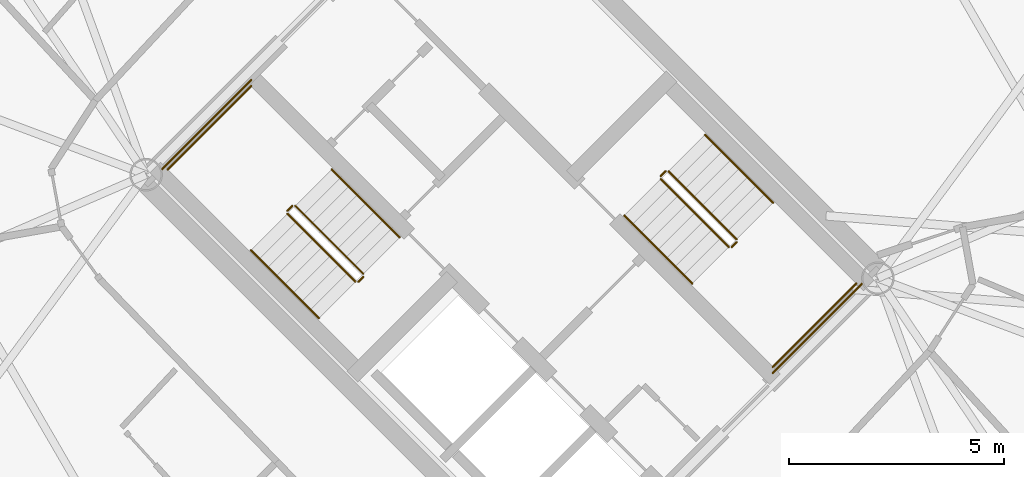
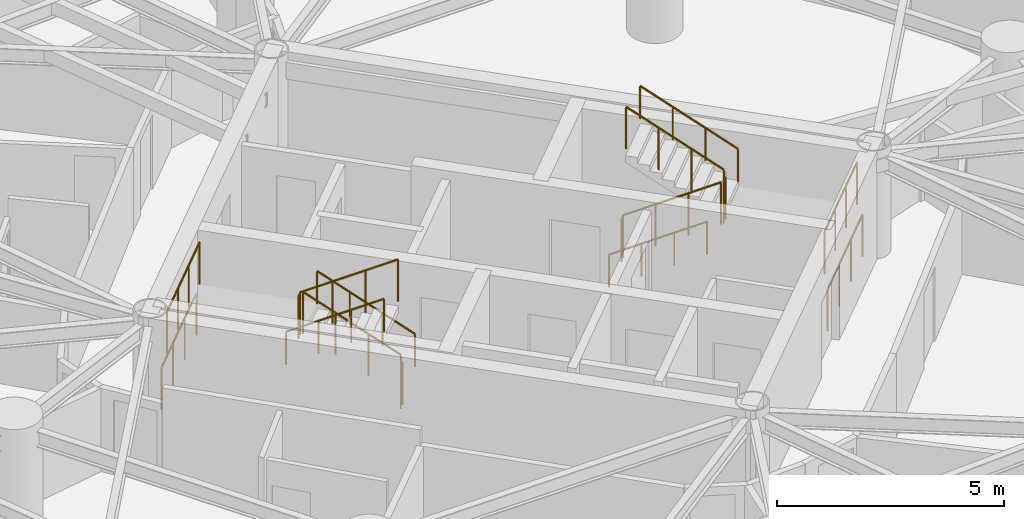
# One storey, part 18 of 18: 16 railings.
"""IFC4 building model written with IfcOpenShell, lengths in metres."""

from ifc_helpers import new_model, si_unit, direction, frame, origin, origin_2d, place, context, subcontext, project, spatial, circle, extrude, material, type_object, element, save


model = new_model("IFC4")

# Units and contexts
model_context = context("Model", 3, precision=1e-05, world=origin(), true_north=direction((0.0, 1.0)))
body_context = subcontext(model_context, "Body", "Model", "MODEL_VIEW")
ifc_project = project(units=[si_unit("LENGTHUNIT", "METRE"), si_unit("AREAUNIT", "SQUARE_METRE"), si_unit("VOLUMEUNIT", "CUBIC_METRE"), si_unit("PLANEANGLEUNIT", "RADIAN"), si_unit("MASSUNIT", "GRAM", prefix="KILO")], contexts=[model_context])

# Site, building, storey
site_placement = place(None, origin())
site = spatial("IfcSite", under=ifc_project, at=site_placement, CompositionType="ELEMENT")
building_placement = place(site_placement, origin())
building = spatial("IfcBuilding", under=site, at=building_placement, Name="Cununo Teusaquillo Station Towers", CompositionType="ELEMENT")
storey_placement = place(building_placement, frame((0.0, 0.0, 157.419921875)))
storey = spatial("IfcBuildingStorey", under=building, at=storey_placement, Name="L49", CompositionType="ELEMENT", Elevation=157.419921875)

# Railings
ifc_material_1 = material(Name="Steel EN 10025-2 S355J2", Category="steel")
railing_type_1 = type_object("IfcRailingType", Name="RL-INT-GUARD", PredefinedType="GUARDRAIL", material=ifc_material_1)
railing_1_placement = place(storey_placement, frame((54.03515625, 23.39697265625, 0.161865234375)))
element("IfcRailing", 1, at=railing_1_placement, inside=storey, type_object=railing_type_1, Name="L49 ST-T2-1 stair guard 1", PredefinedType="GUARDRAIL", context=body_context, shape_type="SweptSolid", body=[
    extrude(circle(Radius=0.02392578125, at=origin_2d()), frame((0.0, 0.0, 1.1259765625), z_axis=(-0.612361259024, 0.612361259024, 0.500027376144), x_axis=(-0.707106781187, -0.707106781187, 0.0)), (0.0, 0.0, 1.0), 2.586181640625),
    extrude(circle(Radius=0.02099609375, at=origin_2d()), origin(), (0.0, 0.0, 1.0), 1.101806640625),
    extrude(circle(Radius=0.02099609375, at=origin_2d()), frame((-0.52783203125, 0.52783203125, 0.43115234375)), (0.0, 0.0, 1.0), 1.101806640625),
    extrude(circle(Radius=0.02099609375, at=origin_2d()), frame((-1.055908203125, 1.055908203125, 0.862060546875)), (0.0, 0.0, 1.0), 1.101806640625),
    extrude(circle(Radius=0.02099609375, at=origin_2d()), frame((-1.583740234375, 1.583740234375, 1.293212890625)), (0.0, 0.0, 1.0), 1.101806640625),
])
railing_2_placement = place(storey_placement, frame((52.380615234375, 24.980712890625, 1.455078125)))
element("IfcRailing", 2, at=railing_2_placement, inside=storey, type_object=railing_type_1, Name="L49 ST-T2-1 stair guard 2", PredefinedType="GUARDRAIL", context=body_context, shape_type="SweptSolid", body=[
    extrude(circle(Radius=0.02392578125, at=origin_2d()), frame((0.0, 0.0, 1.1259765625), z_axis=(-0.7078691598, -0.706343579714, 0.0), x_axis=(0.706343579714, -0.7078691598, 0.0)), (0.0, 0.0, 1.0), 0.159912109375),
    extrude(circle(Radius=0.02099609375, at=origin_2d()), origin(), (0.0, 0.0, 1.0), 1.101806640625),
    extrude(circle(Radius=0.02099609375, at=origin_2d()), frame((-0.11328125, -0.113037109375, 0.0)), (0.0, 0.0, 1.0), 1.101806640625),
])
railing_3_placement = place(storey_placement, frame((51.426025390625, 27.77392578125, 1.455078125)))
element("IfcRailing", 3, at=railing_3_placement, inside=storey, type_object=railing_type_1, Name="L49 ST-T2-1 stair guard 3", PredefinedType="GUARDRAIL", context=body_context, shape_type="SweptSolid", body=[
    extrude(circle(Radius=0.02392578125, at=origin_2d()), frame((0.0, 0.0, 1.1259765625), z_axis=(-0.707106781187, -0.707106781187, 0.0), x_axis=(0.707106781187, -0.707106781187, 0.0)), (0.0, 0.0, 1.0), 2.760009765625),
    extrude(circle(Radius=0.02099609375, at=origin_2d()), origin(), (0.0, 0.0, 1.0), 1.101806640625),
    extrude(circle(Radius=0.02099609375, at=origin_2d()), frame((-0.650634765625, -0.650634765625, 0.0)), (0.0, 0.0, 1.0), 1.101806640625),
    extrude(circle(Radius=0.02099609375, at=origin_2d()), frame((-1.301025390625, -1.301025390625, 0.0)), (0.0, 0.0, 1.0), 1.101806640625),
    extrude(circle(Radius=0.02099609375, at=origin_2d()), frame((-1.95166015625, -1.95166015625, 0.0)), (0.0, 0.0, 1.0), 1.101806640625),
])
railing_4_placement = place(storey_placement, frame((52.267333984375, 24.796875, 1.61669921875)))
element("IfcRailing", 4, at=railing_4_placement, inside=storey, type_object=railing_type_1, Name="L49 ST-T2-1 stair guard 4", PredefinedType="GUARDRAIL", context=body_context, shape_type="SweptSolid", body=[
    extrude(circle(Radius=0.02392578125, at=origin_2d()), frame((0.0, 0.0, 1.1259765625), z_axis=(0.612391349474, -0.612296961165, 0.500069261639), x_axis=(0.707052281454, 0.707161276719, 0.0)), (0.0, 0.0, 1.0), 2.586669921875),
    extrude(circle(Radius=0.02099609375, at=origin_2d()), origin(), (0.0, 0.0, 1.0), 1.101806640625),
    extrude(circle(Radius=0.02099609375, at=origin_2d()), frame((0.528076171875, -0.52783203125, 0.43115234375)), (0.0, 0.0, 1.0), 1.101806640625),
    extrude(circle(Radius=0.02099609375, at=origin_2d()), frame((1.055908203125, -1.055908203125, 0.8623046875)), (0.0, 0.0, 1.0), 1.101806640625),
    extrude(circle(Radius=0.02099609375, at=origin_2d()), frame((1.583984375, -1.583740234375, 1.29345703125)), (0.0, 0.0, 1.0), 1.101806640625),
])
railing_5_placement = place(storey_placement, frame((54.03515625, 23.326171875, 0.0)))
element("IfcRailing", 5, at=railing_5_placement, inside=storey, type_object=railing_type_1, Name="L49 ST-T2-1 stair guard 5", PredefinedType="GUARDRAIL", context=body_context, shape_type="SweptSolid", body=[
    extrude(circle(Radius=0.02392578125, at=origin_2d()), frame((0.0, 0.0, 1.1259765625), z_axis=(-0.707106781187, -0.707106781187, 0.0), x_axis=(0.707106781187, -0.707106781187, 0.0)), (0.0, 0.0, 1.0), 0.159912109375),
    extrude(circle(Radius=0.02099609375, at=origin_2d()), origin(), (0.0, 0.0, 1.0), 1.101806640625),
    extrude(circle(Radius=0.02099609375, at=origin_2d()), frame((-0.113037109375, -0.113037109375, 0.0)), (0.0, 0.0, 1.0), 1.101806640625),
])
railing_6_placement = place(storey_placement, frame((51.426025390625, 27.915283203125, 0.0)))
element("IfcRailing", 6, at=railing_6_placement, inside=storey, type_object=railing_type_1, Name="L49 ST-T2-1 stair guard 6", PredefinedType="GUARDRAIL", context=body_context, shape_type="SweptSolid", body=[
    extrude(circle(Radius=0.02392578125, at=origin_2d()), frame((0.0, 0.0, 1.1259765625), z_axis=(-0.707106781187, -0.707106781187, 0.0), x_axis=(0.707106781187, -0.707106781187, 0.0)), (0.0, 0.0, 1.0), 2.9599609375),
    extrude(circle(Radius=0.02099609375, at=origin_2d()), origin(), (0.0, 0.0, 1.0), 1.101806640625),
    extrude(circle(Radius=0.02099609375, at=origin_2d()), frame((-0.69775390625, -0.69775390625, 0.0)), (0.0, 0.0, 1.0), 1.101806640625),
    extrude(circle(Radius=0.02099609375, at=origin_2d()), frame((-1.395263671875, -1.395263671875, 0.0)), (0.0, 0.0, 1.0), 1.101806640625),
    extrude(circle(Radius=0.02099609375, at=origin_2d()), frame((-2.093017578125, -2.093017578125, 0.0)), (0.0, 0.0, 1.0), 1.101806640625),
])
railing_7_placement = place(storey_placement, frame((60.96484375, 25.60302734375, 0.161865234375)))
element("IfcRailing", 7, at=railing_7_placement, inside=storey, type_object=railing_type_1, Name="L49 ST-T2-2 stair guard 1", PredefinedType="GUARDRAIL", context=body_context, shape_type="SweptSolid", body=[
    extrude(circle(Radius=0.02392578125, at=origin_2d()), frame((0.0, 0.0, 1.1259765625), z_axis=(0.612361259024, -0.612361259024, 0.500027376144), x_axis=(0.707106781187, 0.707106781187, 0.0)), (0.0, 0.0, 1.0), 2.586181640625),
    extrude(circle(Radius=0.02099609375, at=origin_2d()), origin(), (0.0, 0.0, 1.0), 1.101806640625),
    extrude(circle(Radius=0.02099609375, at=origin_2d()), frame((0.52783203125, -0.52783203125, 0.43115234375)), (0.0, 0.0, 1.0), 1.101806640625),
    extrude(circle(Radius=0.02099609375, at=origin_2d()), frame((1.055908203125, -1.055908203125, 0.862060546875)), (0.0, 0.0, 1.0), 1.101806640625),
    extrude(circle(Radius=0.02099609375, at=origin_2d()), frame((1.583740234375, -1.583740234375, 1.293212890625)), (0.0, 0.0, 1.0), 1.101806640625),
])
railing_8_placement = place(storey_placement, frame((62.619384765625, 24.019287109375, 1.455078125)))
element("IfcRailing", 8, at=railing_8_placement, inside=storey, type_object=railing_type_1, Name="L49 ST-T2-2 stair guard 2", PredefinedType="GUARDRAIL", context=body_context, shape_type="SweptSolid", body=[
    extrude(circle(Radius=0.02392578125, at=origin_2d()), frame((0.0, 0.0, 1.1259765625), z_axis=(0.7078691598, 0.706343579714, 0.0), x_axis=(-0.706343579714, 0.7078691598, 0.0)), (0.0, 0.0, 1.0), 0.159912109375),
    extrude(circle(Radius=0.02099609375, at=origin_2d()), origin(), (0.0, 0.0, 1.0), 1.101806640625),
    extrude(circle(Radius=0.02099609375, at=origin_2d()), frame((0.11328125, 0.113037109375, 0.0)), (0.0, 0.0, 1.0), 1.101806640625),
])
railing_9_placement = place(storey_placement, frame((63.573974609375, 21.22607421875, 1.455078125)))
element("IfcRailing", 9, at=railing_9_placement, inside=storey, type_object=railing_type_1, Name="L49 ST-T2-2 stair guard 3", PredefinedType="GUARDRAIL", context=body_context, shape_type="SweptSolid", body=[
    extrude(circle(Radius=0.02392578125, at=origin_2d()), frame((0.0, 0.0, 1.1259765625), z_axis=(0.707106781187, 0.707106781187, 0.0), x_axis=(-0.707106781187, 0.707106781187, 0.0)), (0.0, 0.0, 1.0), 2.760009765625),
    extrude(circle(Radius=0.02099609375, at=origin_2d()), origin(), (0.0, 0.0, 1.0), 1.101806640625),
    extrude(circle(Radius=0.02099609375, at=origin_2d()), frame((0.650634765625, 0.650634765625, 0.0)), (0.0, 0.0, 1.0), 1.101806640625),
    extrude(circle(Radius=0.02099609375, at=origin_2d()), frame((1.301025390625, 1.301025390625, 0.0)), (0.0, 0.0, 1.0), 1.101806640625),
    extrude(circle(Radius=0.02099609375, at=origin_2d()), frame((1.95166015625, 1.95166015625, 0.0)), (0.0, 0.0, 1.0), 1.101806640625),
])
railing_10_placement = place(storey_placement, frame((62.732666015625, 24.203125, 1.61669921875)))
element("IfcRailing", 10, at=railing_10_placement, inside=storey, type_object=railing_type_1, Name="L49 ST-T2-2 stair guard 4", PredefinedType="GUARDRAIL", context=body_context, shape_type="SweptSolid", body=[
    extrude(circle(Radius=0.02392578125, at=origin_2d()), frame((0.0, 0.0, 1.1259765625), z_axis=(-0.612391349474, 0.612296961165, 0.500069261639), x_axis=(-0.707052281454, -0.707161276719, 0.0)), (0.0, 0.0, 1.0), 2.586669921875),
    extrude(circle(Radius=0.02099609375, at=origin_2d()), origin(), (0.0, 0.0, 1.0), 1.101806640625),
    extrude(circle(Radius=0.02099609375, at=origin_2d()), frame((-0.528076171875, 0.52783203125, 0.43115234375)), (0.0, 0.0, 1.0), 1.101806640625),
    extrude(circle(Radius=0.02099609375, at=origin_2d()), frame((-1.055908203125, 1.055908203125, 0.8623046875)), (0.0, 0.0, 1.0), 1.101806640625),
    extrude(circle(Radius=0.02099609375, at=origin_2d()), frame((-1.583984375, 1.583740234375, 1.29345703125)), (0.0, 0.0, 1.0), 1.101806640625),
])
railing_11_placement = place(storey_placement, frame((60.96484375, 25.673828125, 0.0)))
element("IfcRailing", 11, at=railing_11_placement, inside=storey, type_object=railing_type_1, Name="L49 ST-T2-2 stair guard 5", PredefinedType="GUARDRAIL", context=body_context, shape_type="SweptSolid", body=[
    extrude(circle(Radius=0.02392578125, at=origin_2d()), frame((0.0, 0.0, 1.1259765625), z_axis=(0.707106781187, 0.707106781187, 0.0), x_axis=(-0.707106781187, 0.707106781187, 0.0)), (0.0, 0.0, 1.0), 0.159912109375),
    extrude(circle(Radius=0.02099609375, at=origin_2d()), origin(), (0.0, 0.0, 1.0), 1.101806640625),
    extrude(circle(Radius=0.02099609375, at=origin_2d()), frame((0.113037109375, 0.113037109375, 0.0)), (0.0, 0.0, 1.0), 1.101806640625),
])
railing_12_placement = place(storey_placement, frame((63.573974609375, 21.084716796875, 0.0)))
element("IfcRailing", 12, at=railing_12_placement, inside=storey, type_object=railing_type_1, Name="L49 ST-T2-2 stair guard 6", PredefinedType="GUARDRAIL", context=body_context, shape_type="SweptSolid", body=[
    extrude(circle(Radius=0.02392578125, at=origin_2d()), frame((0.0, 0.0, 1.1259765625), z_axis=(0.707106781187, 0.707106781187, 0.0), x_axis=(-0.707106781187, 0.707106781187, 0.0)), (0.0, 0.0, 1.0), 2.9599609375),
    extrude(circle(Radius=0.02099609375, at=origin_2d()), origin(), (0.0, 0.0, 1.0), 1.101806640625),
    extrude(circle(Radius=0.02099609375, at=origin_2d()), frame((0.69775390625, 0.69775390625, 0.0)), (0.0, 0.0, 1.0), 1.101806640625),
    extrude(circle(Radius=0.02099609375, at=origin_2d()), frame((1.395263671875, 1.395263671875, 0.0)), (0.0, 0.0, 1.0), 1.101806640625),
    extrude(circle(Radius=0.02099609375, at=origin_2d()), frame((2.093017578125, 2.093017578125, 0.0)), (0.0, 0.0, 1.0), 1.101806640625),
])
ifc_material_2 = material(Name="Steel EN 10025-2 S355J2", Category="steel")
railing_type_2 = type_object("IfcRailingType", Name="RL-INT-HRAIL", PredefinedType="HANDRAIL", material=ifc_material_2)
railing_13_placement = place(storey_placement, frame((54.8837890625, 24.245361328125, 0.161865234375)))
element("IfcRailing", 13, at=railing_13_placement, inside=storey, type_object=railing_type_2, Name="L49 ST-T2-1 stair handrail 1", PredefinedType="HANDRAIL", context=body_context, shape_type="SweptSolid", body=[
    extrude(circle(Radius=0.02392578125, at=origin_2d()), frame((0.0, 0.0, 0.8759765625), z_axis=(-0.612384857071, 0.612384857071, 0.499969572735), x_axis=(-0.707106781187, -0.707106781187, 0.0)), (0.0, 0.0, 1.0), 2.586669921875),
    extrude(circle(Radius=0.02099609375, at=origin_2d()), origin(), (0.0, 0.0, 1.0), 0.851806640625),
    extrude(circle(Radius=0.02099609375, at=origin_2d()), frame((-0.528076171875, 0.528076171875, 0.43115234375)), (0.0, 0.0, 1.0), 0.851806640625),
    extrude(circle(Radius=0.02099609375, at=origin_2d()), frame((-1.055908203125, 1.055908203125, 0.862060546875)), (0.0, 0.0, 1.0), 0.851806640625),
    extrude(circle(Radius=0.02099609375, at=origin_2d()), frame((-1.583984375, 1.583984375, 1.293212890625)), (0.0, 0.0, 1.0), 0.851806640625),
])
railing_14_placement = place(storey_placement, frame((51.4189453125, 23.948486328125, 1.61669921875)))
element("IfcRailing", 14, at=railing_14_placement, inside=storey, type_object=railing_type_2, Name="L49 ST-T2-1 stair handrail 2", PredefinedType="HANDRAIL", context=body_context, shape_type="SweptSolid", body=[
    extrude(circle(Radius=0.02392578125, at=origin_2d()), frame((0.0, 0.0, 0.8759765625), z_axis=(0.612355957468, -0.612355957468, 0.500040361077), x_axis=(0.707106781187, 0.707106781187, 0.0)), (0.0, 0.0, 1.0), 2.586669921875),
    extrude(circle(Radius=0.02099609375, at=origin_2d()), origin(), (0.0, 0.0, 1.0), 0.851806640625),
    extrude(circle(Radius=0.02099609375, at=origin_2d()), frame((0.528076171875, -0.528076171875, 0.43115234375)), (0.0, 0.0, 1.0), 0.851806640625),
    extrude(circle(Radius=0.02099609375, at=origin_2d()), frame((1.055908203125, -1.055908203125, 0.8623046875)), (0.0, 0.0, 1.0), 0.851806640625),
    extrude(circle(Radius=0.02099609375, at=origin_2d()), frame((1.583984375, -1.583984375, 1.29345703125)), (0.0, 0.0, 1.0), 0.851806640625),
])
railing_15_placement = place(storey_placement, frame((60.1162109375, 24.754638671875, 0.161865234375)))
element("IfcRailing", 15, at=railing_15_placement, inside=storey, type_object=railing_type_2, Name="L49 ST-T2-2 stair handrail 1", PredefinedType="HANDRAIL", context=body_context, shape_type="SweptSolid", body=[
    extrude(circle(Radius=0.02392578125, at=origin_2d()), frame((0.0, 0.0, 0.8759765625), z_axis=(0.612384857071, -0.612384857071, 0.499969572735), x_axis=(0.707106781187, 0.707106781187, 0.0)), (0.0, 0.0, 1.0), 2.586669921875),
    extrude(circle(Radius=0.02099609375, at=origin_2d()), origin(), (0.0, 0.0, 1.0), 0.851806640625),
    extrude(circle(Radius=0.02099609375, at=origin_2d()), frame((0.528076171875, -0.528076171875, 0.43115234375)), (0.0, 0.0, 1.0), 0.851806640625),
    extrude(circle(Radius=0.02099609375, at=origin_2d()), frame((1.055908203125, -1.055908203125, 0.862060546875)), (0.0, 0.0, 1.0), 0.851806640625),
    extrude(circle(Radius=0.02099609375, at=origin_2d()), frame((1.583984375, -1.583984375, 1.293212890625)), (0.0, 0.0, 1.0), 0.851806640625),
])
railing_16_placement = place(storey_placement, frame((63.5810546875, 25.051513671875, 1.61669921875)))
element("IfcRailing", 16, at=railing_16_placement, inside=storey, type_object=railing_type_2, Name="L49 ST-T2-2 stair handrail 2", PredefinedType="HANDRAIL", context=body_context, shape_type="SweptSolid", body=[
    extrude(circle(Radius=0.02392578125, at=origin_2d()), frame((0.0, 0.0, 0.8759765625), z_axis=(-0.612355957468, 0.612355957468, 0.500040361077), x_axis=(-0.707106781187, -0.707106781187, 0.0)), (0.0, 0.0, 1.0), 2.586669921875),
    extrude(circle(Radius=0.02099609375, at=origin_2d()), origin(), (0.0, 0.0, 1.0), 0.851806640625),
    extrude(circle(Radius=0.02099609375, at=origin_2d()), frame((-0.528076171875, 0.528076171875, 0.43115234375)), (0.0, 0.0, 1.0), 0.851806640625),
    extrude(circle(Radius=0.02099609375, at=origin_2d()), frame((-1.055908203125, 1.055908203125, 0.8623046875)), (0.0, 0.0, 1.0), 0.851806640625),
    extrude(circle(Radius=0.02099609375, at=origin_2d()), frame((-1.583984375, 1.583984375, 1.29345703125)), (0.0, 0.0, 1.0), 0.851806640625),
])

save(model, "model.ifc")
